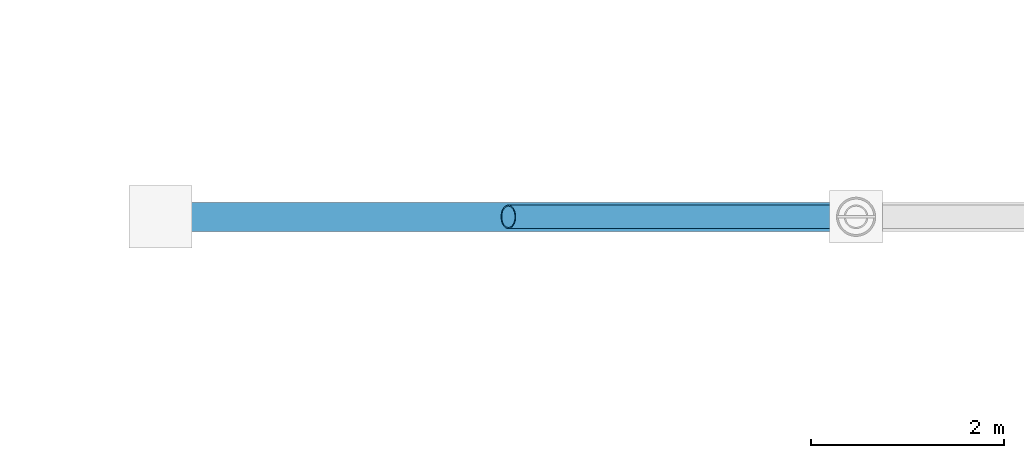
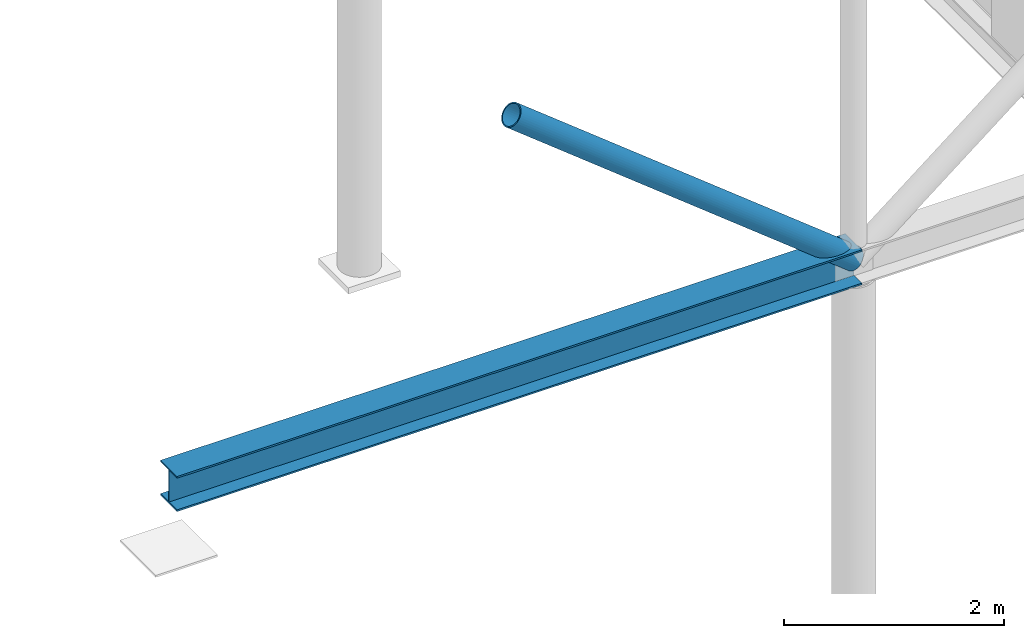
# One storey, part 42 of 147: 1 beam, 1 member.
"""IFC4 building model written with IfcOpenShell, lengths in metres."""

from ifc_helpers import new_model, si_unit, direction, frame, origin, origin_2d, place, context, subcontext, project, spatial, hollow_circle, i_section, extrude, material, material_profile, profile_set, type_object, element, save


model = new_model("IFC4")

# Units and contexts
model_context = context("Model", 3, precision=1e-05, world=origin(), true_north=direction((0.0, 1.0)))
body_context = subcontext(model_context, "Body", "Model", "MODEL_VIEW")
ifc_project = project(units=[si_unit("LENGTHUNIT", "METRE"), si_unit("AREAUNIT", "SQUARE_METRE"), si_unit("VOLUMEUNIT", "CUBIC_METRE"), si_unit("PLANEANGLEUNIT", "RADIAN"), si_unit("MASSUNIT", "GRAM", prefix="KILO")], contexts=[model_context])

# Site, building, storey
site_placement = place(None, origin())
site = spatial("IfcSite", under=ifc_project, at=site_placement, CompositionType="ELEMENT")
building_placement = place(site_placement, origin())
building = spatial("IfcBuilding", under=site, at=building_placement, Name="Sundgate Opera House", CompositionType="ELEMENT")
storey_placement = place(building_placement, frame((0.0, 0.0, 6.0)))
storey = spatial("IfcBuildingStorey", under=building, at=storey_placement, Name="L01", CompositionType="ELEMENT", Elevation=6.0)

# Beam
ifc_material_1 = material(Name="Steel S355J2", Category="steel")
ifc_material_profile_1 = material_profile(ifc_material_1, i_section(OverallWidth=0.300048828125, OverallDepth=0.389892578125, WebThickness=0.010986328125, FlangeThickness=0.01904296875, at=origin_2d()), Name="HEA 400")
ifc_profile_set_1 = profile_set([ifc_material_profile_1], Name="Steel S355J2")
beam_type = type_object("IfcBeamType", Name="BM-GR-HEA400", PredefinedType="BEAM", material=ifc_profile_set_1)
beam_placement = place(storey_placement, frame((81.0, 60.0, 5.5849609375), z_axis=(1.0, 0.0, 0.0), x_axis=(0.0, 1.0, 0.0)))
element("IfcBeam", 1, at=beam_placement, inside=storey, type_object=beam_type, Name="L01 Passage Arch Tie Beam B3405", PredefinedType="BEAM", context=body_context, shape_type="SweptSolid", body=[
    extrude(i_section(OverallWidth=0.300048828125, OverallDepth=0.389892578125, WebThickness=0.010986328125, FlangeThickness=0.01904296875, at=origin_2d()), origin(), (0.0, 0.0, 1.0), 7.199951171875),
])

# Member
ifc_material_2 = material(Name="Steel S355J2", Category="steel")
ifc_material_profile_2 = material_profile(ifc_material_2, hollow_circle(Radius=0.122314453125, WallThickness=0.012451171875, at=origin_2d()), Name="CHS 244.5x12.5")
ifc_profile_set_2 = profile_set([ifc_material_profile_2], Name="Steel S355J2")
member_type = type_object("IfcMemberType", Name="MB-STRUT-CHS244", PredefinedType="STRUT", material=ifc_profile_set_2)
member_placement = place(storey_placement, frame((88.199951171875, 60.0, 5.594970703125), z_axis=(-0.78350570776, 0.0, 0.621384587762), x_axis=(0.0, -1.0, 0.0)))
element("IfcMember", 2, at=member_placement, inside=storey, type_object=member_type, Name="Passage Arch Spandrel Strut M0325", PredefinedType="STRUT", context=body_context, shape_type="SweptSolid", body=[
    extrude(hollow_circle(Radius=0.122314453125, WallThickness=0.012451171875, at=origin_2d()), origin(), (0.0, 0.0, 1.0), 4.594482421875),
])

save(model, "model.ifc")
